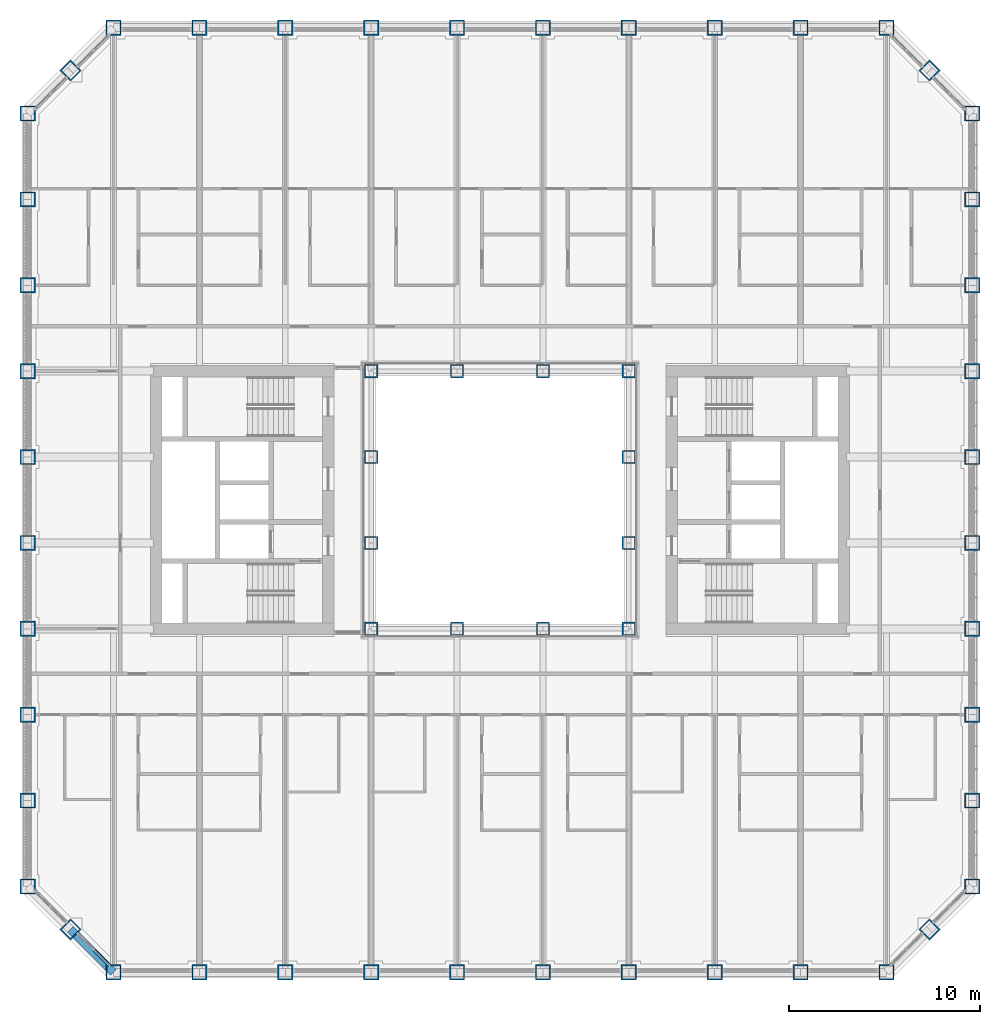
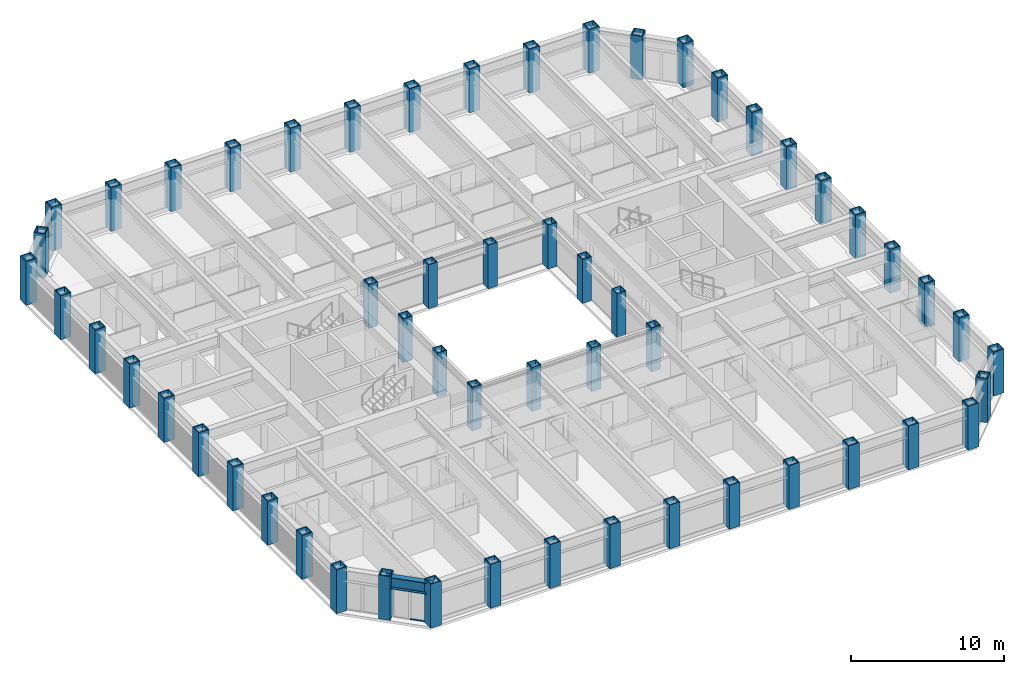
# One storey, part 1 of 21: 56 columns, 2 members, 1 beam, 1 element without a shape of its own.
"""IFC4 building model written with IfcOpenShell, lengths in metres."""

from ifc_helpers import new_model, si_unit, direction, frame, origin, origin_2d, place, context, subcontext, project, spatial, rectangle, hollow_rectangle, i_section, extrude, material, material_profile, profile_set, type_object, element, aggregate, save


model = new_model("IFC4")

# Units and contexts
model_context = context("Model", 3, precision=1e-05, world=origin(), true_north=direction((0.0, 1.0)))
body_context = subcontext(model_context, "Body", "Model", "MODEL_VIEW")
ifc_project = project(units=[si_unit("LENGTHUNIT", "METRE"), si_unit("AREAUNIT", "SQUARE_METRE"), si_unit("VOLUMEUNIT", "CUBIC_METRE"), si_unit("PLANEANGLEUNIT", "RADIAN"), si_unit("MASSUNIT", "GRAM", prefix="KILO")], contexts=[model_context])

# Site, building, storey
site_placement = place(None, origin())
site = spatial("IfcSite", under=ifc_project, at=site_placement, CompositionType="ELEMENT")
building_placement = place(site_placement, origin())
building = spatial("IfcBuilding", under=site, at=building_placement, Name="Msasa Ring Tower", CompositionType="ELEMENT")
storey_placement = place(building_placement, frame((0.0, 0.0, 54.5)))
storey = spatial("IfcBuildingStorey", under=building, at=storey_placement, Name="L13", CompositionType="ELEMENT", Elevation=54.5)

# Columns
ifc_material_1 = material(Name="Steel S355", Category="steel")
ifc_material_profile_1 = material_profile(ifc_material_1, hollow_rectangle(XDim=0.699951171875, YDim=0.699951171875, WallThickness=0.06005859375, at=origin_2d()), Name="BOX 700x700x60")
ifc_profile_set_1 = profile_set([ifc_material_profile_1], Name="Steel S355")
column_type_1 = type_object("IfcColumnType", Name="IC2 BOX 700x700x60", PredefinedType="COLUMN", material=ifc_profile_set_1)
for number, where, z_axis, x_axis, name in (
    (1, (-6.75, -6.75, 0.0), (0.0, 0.0, 1.0), (1.0, 0.0, 0.0), "Inner ring column IR-6.75-6.75 L13"),
    (2, (-6.75, -2.25, 0.0), (0.0, 0.0, 1.0), (1.0, 0.0, 0.0), "Inner ring column IR-6.75-2.25 L13"),
    (3, (-6.75, 2.25, 0.0), (0.0, 0.0, 1.0), (1.0, 0.0, 0.0), "Inner ring column IR-6.75+2.25 L13"),
    (4, (-6.75, 6.75, 0.0), (0.0, 0.0, 1.0), (1.0, 0.0, 0.0), "Inner ring column IR-6.75+6.75 L13"),
    (5, (-2.25, -6.75, 0.0), (0.0, 0.0, 1.0), (1.0, 0.0, 0.0), "Inner ring column IR-2.25-6.75 L13"),
    (6, (-2.25, 6.75, 0.0), (0.0, 0.0, 1.0), (1.0, 0.0, 0.0), "Inner ring column IR-2.25+6.75 L13"),
    (7, (2.25, -6.75, 0.0), (0.0, 0.0, 1.0), (1.0, 0.0, 0.0), "Inner ring column IR+2.25-6.75 L13"),
    (8, (2.25, 6.75, 0.0), (0.0, 0.0, 1.0), (1.0, 0.0, 0.0), "Inner ring column IR+2.25+6.75 L13"),
    (9, (6.75, -6.75, 0.0), (0.0, 0.0, 1.0), (1.0, 0.0, 0.0), "Inner ring column IR+6.75-6.75 L13"),
    (10, (6.75, -2.25, 0.0), (0.0, 0.0, 1.0), (1.0, 0.0, 0.0), "Inner ring column IR+6.75-2.25 L13"),
    (11, (6.75, 2.25, 0.0), (0.0, 0.0, 1.0), (1.0, 0.0, 0.0), "Inner ring column IR+6.75+2.25 L13"),
    (12, (6.75, 6.75, 0.0), (0.0, 0.0, 1.0), (1.0, 0.0, 0.0), "Inner ring column IR+6.75+6.75 L13"),
):
    element("IfcColumn", number, at=place(storey_placement, frame(where, z_axis=z_axis, x_axis=x_axis)), inside=storey, type_object=column_type_1, Name=name, PredefinedType="COLUMN", context=body_context, shape_type="SweptSolid", body=[
        extrude(hollow_rectangle(XDim=0.699951171875, YDim=0.699951171875, WallThickness=0.06005859375, at=origin_2d()), origin(), (0.0, 0.0, 1.0), 3.5),
    ])
ifc_material_2 = material(Name="Steel S355", Category="steel")
ifc_material_profile_2 = material_profile(ifc_material_2, hollow_rectangle(XDim=0.800048828125, YDim=0.800048828125, WallThickness=0.070068359375, at=origin_2d()), Name="BOX 800x800x70")
ifc_profile_set_2 = profile_set([ifc_material_profile_2], Name="Steel S355")
column_type_2 = type_object("IfcColumnType", Name="TC2 BOX 800x800x70", PredefinedType="COLUMN", material=ifc_profile_set_2)
for number, where, z_axis, x_axis, name in (
    (13, (-20.25, -24.75, 0.0), (0.0, 0.0, 1.0), (0.0, 1.0, 0.0), "Tube column S-20.25 L13"),
    (14, (-20.25, 24.75, 0.0), (0.0, 0.0, 1.0), (0.0, 1.0, 0.0), "Tube column N-20.25 L13"),
    (15, (24.75, -20.25, 0.0), (0.0, 0.0, 1.0), (1.0, 0.0, 0.0), "Tube column E-20.25 L13"),
    (16, (-24.75, -20.25, 0.0), (0.0, 0.0, 1.0), (1.0, 0.0, 0.0), "Tube column W-20.25 L13"),
    (17, (-15.75, -24.75, 0.0), (0.0, 0.0, 1.0), (0.0, 1.0, 0.0), "Tube column S-15.75 L13"),
    (18, (-15.75, 24.75, 0.0), (0.0, 0.0, 1.0), (0.0, 1.0, 0.0), "Tube column N-15.75 L13"),
    (19, (24.75, -15.75, 0.0), (0.0, 0.0, 1.0), (1.0, 0.0, 0.0), "Tube column E-15.75 L13"),
    (20, (-24.75, -15.75, 0.0), (0.0, 0.0, 1.0), (1.0, 0.0, 0.0), "Tube column W-15.75 L13"),
    (21, (-11.25, -24.75, 0.0), (0.0, 0.0, 1.0), (0.0, 1.0, 0.0), "Tube column S-11.25 L13"),
    (22, (-11.25, 24.75, 0.0), (0.0, 0.0, 1.0), (0.0, 1.0, 0.0), "Tube column N-11.25 L13"),
    (23, (24.75, -11.25, 0.0), (0.0, 0.0, 1.0), (1.0, 0.0, 0.0), "Tube column E-11.25 L13"),
    (24, (-24.75, -11.25, 0.0), (0.0, 0.0, 1.0), (1.0, 0.0, 0.0), "Tube column W-11.25 L13"),
    (25, (-6.75, -24.75, 0.0), (0.0, 0.0, 1.0), (0.0, 1.0, 0.0), "Tube column S-6.75 L13"),
    (26, (-6.75, 24.75, 0.0), (0.0, 0.0, 1.0), (0.0, 1.0, 0.0), "Tube column N-6.75 L13"),
    (27, (24.75, -6.75, 0.0), (0.0, 0.0, 1.0), (1.0, 0.0, 0.0), "Tube column E-6.75 L13"),
    (28, (-24.75, -6.75, 0.0), (0.0, 0.0, 1.0), (1.0, 0.0, 0.0), "Tube column W-6.75 L13"),
    (29, (-2.25, -24.75, 0.0), (0.0, 0.0, 1.0), (0.0, 1.0, 0.0), "Tube column S-2.25 L13"),
    (30, (-2.25, 24.75, 0.0), (0.0, 0.0, 1.0), (0.0, 1.0, 0.0), "Tube column N-2.25 L13"),
    (31, (24.75, -2.25, 0.0), (0.0, 0.0, 1.0), (1.0, 0.0, 0.0), "Tube column E-2.25 L13"),
    (32, (-24.75, -2.25, 0.0), (0.0, 0.0, 1.0), (1.0, 0.0, 0.0), "Tube column W-2.25 L13"),
    (33, (2.25, -24.75, 0.0), (0.0, 0.0, 1.0), (0.0, 1.0, 0.0), "Tube column S+2.25 L13"),
    (34, (2.25, 24.75, 0.0), (0.0, 0.0, 1.0), (0.0, 1.0, 0.0), "Tube column N+2.25 L13"),
    (35, (24.75, 2.25, 0.0), (0.0, 0.0, 1.0), (1.0, 0.0, 0.0), "Tube column E+2.25 L13"),
    (36, (-24.75, 2.25, 0.0), (0.0, 0.0, 1.0), (1.0, 0.0, 0.0), "Tube column W+2.25 L13"),
    (37, (6.75, -24.75, 0.0), (0.0, 0.0, 1.0), (0.0, 1.0, 0.0), "Tube column S+6.75 L13"),
    (38, (6.75, 24.75, 0.0), (0.0, 0.0, 1.0), (0.0, 1.0, 0.0), "Tube column N+6.75 L13"),
    (39, (24.75, 6.75, 0.0), (0.0, 0.0, 1.0), (1.0, 0.0, 0.0), "Tube column E+6.75 L13"),
    (40, (-24.75, 6.75, 0.0), (0.0, 0.0, 1.0), (1.0, 0.0, 0.0), "Tube column W+6.75 L13"),
    (41, (11.25, -24.75, 0.0), (0.0, 0.0, 1.0), (0.0, 1.0, 0.0), "Tube column S+11.25 L13"),
    (42, (11.25, 24.75, 0.0), (0.0, 0.0, 1.0), (0.0, 1.0, 0.0), "Tube column N+11.25 L13"),
    (43, (24.75, 11.25, 0.0), (0.0, 0.0, 1.0), (1.0, 0.0, 0.0), "Tube column E+11.25 L13"),
    (44, (-24.75, 11.25, 0.0), (0.0, 0.0, 1.0), (1.0, 0.0, 0.0), "Tube column W+11.25 L13"),
    (45, (15.75, -24.75, 0.0), (0.0, 0.0, 1.0), (0.0, 1.0, 0.0), "Tube column S+15.75 L13"),
    (46, (15.75, 24.75, 0.0), (0.0, 0.0, 1.0), (0.0, 1.0, 0.0), "Tube column N+15.75 L13"),
    (47, (24.75, 15.75, 0.0), (0.0, 0.0, 1.0), (1.0, 0.0, 0.0), "Tube column E+15.75 L13"),
    (48, (-24.75, 15.75, 0.0), (0.0, 0.0, 1.0), (1.0, 0.0, 0.0), "Tube column W+15.75 L13"),
    (49, (20.25, -24.75, 0.0), (0.0, 0.0, 1.0), (0.0, 1.0, 0.0), "Tube column S+20.25 L13"),
    (50, (20.25, 24.75, 0.0), (0.0, 0.0, 1.0), (0.0, 1.0, 0.0), "Tube column N+20.25 L13"),
    (51, (24.75, 20.25, 0.0), (0.0, 0.0, 1.0), (1.0, 0.0, 0.0), "Tube column E+20.25 L13"),
    (52, (-24.75, 20.25, 0.0), (0.0, 0.0, 1.0), (1.0, 0.0, 0.0), "Tube column W+20.25 L13"),
    (53, (22.5, -22.5, 0.0), (0.0, 0.0, 1.0), (0.707106781187, -0.707106781187, 0.0), "Tube column SE L13"),
    (54, (22.5, 22.5, 0.0), (0.0, 0.0, 1.0), (0.707106781187, 0.707106781187, 0.0), "Tube column NE L13"),
    (55, (-22.5, 22.5, 0.0), (0.0, 0.0, 1.0), (0.707106781187, -0.707106781187, 0.0), "Tube column NW L13"),
    (56, (-22.5, -22.5, 0.0), (0.0, 0.0, 1.0), (0.707106781187, 0.707106781187, 0.0), "Tube column SW L13"),
):
    element("IfcColumn", number, at=place(storey_placement, frame(where, z_axis=z_axis, x_axis=x_axis)), inside=storey, type_object=column_type_2, Name=name, PredefinedType="COLUMN", context=body_context, shape_type="SweptSolid", body=[
        extrude(hollow_rectangle(XDim=0.800048828125, YDim=0.800048828125, WallThickness=0.070068359375, at=origin_2d()), origin(), (0.0, 0.0, 1.0), 3.5),
    ])

# Curtain wall, members
ifc_material_3 = material(Name="Aluminium curtain wall with clear glass", Category="aluminium")
curtain_wall_type = type_object("IfcCurtainWallType", Name="CW-C CHAMFER CORNER CURTAIN WALL", PredefinedType="NOTDEFINED", material=ifc_material_3)
curtain_wall_placement = place(storey_placement, origin())
curtain_wall = element("IfcCurtainWall", 57, at=curtain_wall_placement, inside=storey, type_object=curtain_wall_type, Name="Chamfer corner curtain wall SW L13", PredefinedType="NOTDEFINED")
ifc_material_4 = material(Name="Aluminium transom", Category="aluminium")
ifc_material_profile_3 = material_profile(ifc_material_4, rectangle(XDim=0.139892578125, YDim=0.06494140625, at=origin_2d()), Name="AL 65x140")
ifc_profile_set_3 = profile_set([ifc_material_profile_3], Name="Aluminium transom")
member_type = type_object("IfcMemberType", Name="CW-C TRANSOM 65x140", PredefinedType="USERDEFINED", material=ifc_profile_set_3)
member_1_placement = place(storey_placement, frame((-21.28125, -23.577392578125, 0.032470703125), z_axis=(0.707106781187, -0.707106781187, 0.0), x_axis=(0.707106781187, 0.707106781187, 0.0)))
member_1 = element("IfcMember", 58, at=member_1_placement, type_object=member_type, Name="CW-C transom 2.1", ObjectType="TRANSOM", PredefinedType="USERDEFINED", context=body_context, shape_type="SweptSolid", body=[
    extrude(rectangle(XDim=0.139892578125, YDim=0.06494140625, at=origin_2d()), origin(), (0.0, 0.0, 1.0), 1.08837890625),
])
member_2_placement = place(storey_placement, frame((-21.28125, -23.577392578125, 2.346435546875), z_axis=(0.707106781187, -0.707106781187, 0.0), x_axis=(0.707106781187, 0.707106781187, 0.0)))
member_2 = element("IfcMember", 59, at=member_2_placement, type_object=member_type, Name="CW-C transom 2.2", ObjectType="TRANSOM", PredefinedType="USERDEFINED", context=body_context, shape_type="SweptSolid", body=[
    extrude(rectangle(XDim=0.139892578125, YDim=0.06494140625, at=origin_2d()), origin(), (0.0, 0.0, 1.0), 1.08837890625),
])
aggregate(curtain_wall, [member_1, member_2])

# Beam
ifc_material_5 = material(Name="Steel S355", Category="steel")
ifc_material_profile_4 = material_profile(ifc_material_5, i_section(OverallWidth=0.42041015625, OverallDepth=0.9208984375, WebThickness=0.021484375, FlangeThickness=0.03662109375, FilletRadius=0.024169921875, at=origin_2d()), Name="UB 914x419x388")
ifc_profile_set_4 = profile_set([ifc_material_profile_4], Name="Steel S355")
beam_type = type_object("IfcBeamType", Name="SB1 UB 914x419x388", PredefinedType="SPANDREL", material=ifc_profile_set_4)
beam_placement = place(storey_placement, frame((-22.5, -22.5, 2.839599609375), z_axis=(0.707106781187, -0.707106781187, 0.0), x_axis=(0.707106781187, 0.707106781187, 0.0)))
element("IfcBeam", 60, at=beam_placement, inside=storey, type_object=beam_type, Name="Spandrel SW to S-20.25 under L14", PredefinedType="SPANDREL", context=body_context, shape_type="SweptSolid", body=[
    extrude(i_section(OverallWidth=0.42041015625, OverallDepth=0.9208984375, WebThickness=0.021484375, FlangeThickness=0.03662109375, FilletRadius=0.024169921875, at=origin_2d()), origin(), (0.0, 0.0, 1.0), 3.181884765625),
])

save(model, "model.ifc")
